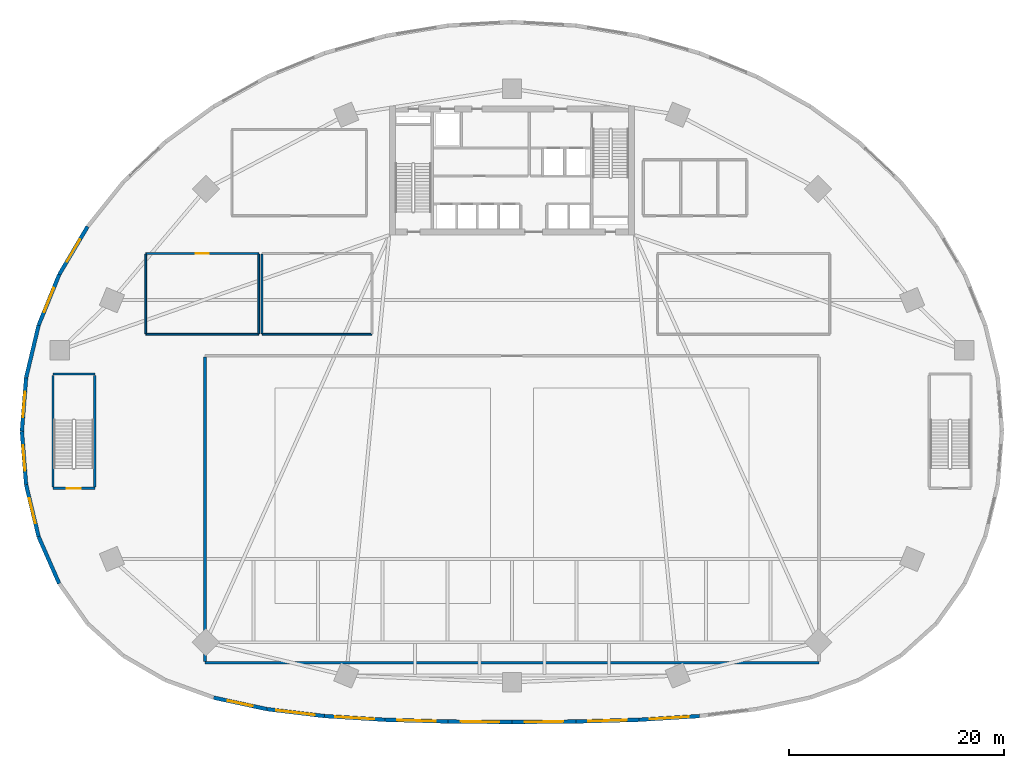
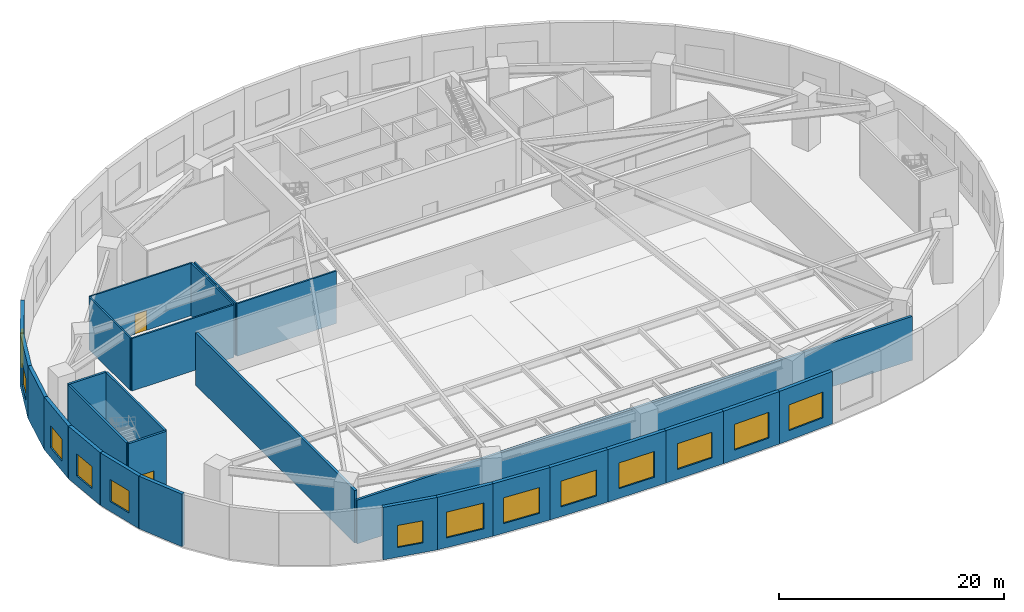
# One storey, part 2 of 10: 27 walls, 13 windows, 2 doors, 15 openings.
"""IFC4 building model written with IfcOpenShell, lengths in metres."""

from ifc_helpers import new_model, si_unit, direction, frame, frame_2d, origin, place, context, subcontext, project, spatial, rectangle, extrude, source, transform, mapped, material, layer, layer_set, type_object, type_shapes, element, fill, save


model = new_model("IFC4")

# Units and contexts
model_context = context("Model", 3, precision=1e-05, world=origin(), true_north=direction((0.0, 1.0)))
body_context = subcontext(model_context, "Body", "Model", "MODEL_VIEW")
ifc_project = project(units=[si_unit("LENGTHUNIT", "METRE"), si_unit("AREAUNIT", "SQUARE_METRE"), si_unit("VOLUMEUNIT", "CUBIC_METRE"), si_unit("PLANEANGLEUNIT", "RADIAN"), si_unit("MASSUNIT", "GRAM", prefix="KILO")], contexts=[model_context])

# Site, building, storey
site_placement = place(None, origin())
site = spatial("IfcSite", under=ifc_project, at=site_placement, CompositionType="ELEMENT")
building_placement = place(site_placement, origin())
building = spatial("IfcBuilding", under=site, at=building_placement, Name="Breltana Convention Tower", CompositionType="ELEMENT")
storey_placement = place(building_placement, frame((0.0, 0.0, 12.0)))
storey = spatial("IfcBuildingStorey", under=building, at=storey_placement, Name="L02", CompositionType="ELEMENT", Elevation=12.0)

# Wall, opening, window
ifc_material_1 = material(Name="Limestone Buff Insulated Wall", Category="masonry")
ifc_layer_1 = layer(ifc_material_1, 0.35009765625, Name="Limestone Buff Insulated Wall")
ifc_layer_set_1 = layer_set([ifc_layer_1], Name="Limestone Buff Insulated Wall")
wall_type_1 = type_object("IfcWallType", Name="WL-EXT-POD-350", PredefinedType="SOLIDWALL", material=ifc_layer_set_1)
shared_shape_1 = source(origin(), body_context, "Body", "SweptSolid", [
    extrude(rectangle(XDim=4.975341796875, YDim=0.35009765625, at=frame_2d((2.48779296875, 0.0))), origin(), (0.0, 0.0, 1.0), 5.699951171875),
])
type_shapes(wall_type_1, [shared_shape_1])
wall_1_placement = place(storey_placement, frame((2.889404296875, 46.9599609375, 0.0), z_axis=(0.0, 0.0, 1.0), x_axis=(-0.07826870534, -0.996932299489, 0.0)))
wall_1 = element("IfcWall", 1, at=wall_1_placement, inside=storey, type_object=wall_type_1, Name="L02 limestone facade wall 24", PredefinedType="SOLIDWALL", context=body_context, shape_type="MappedRepresentation", body=[
    mapped(shared_shape_1, transform((0.0, 0.0, 0.0), scale=1.0)),
])
opening_1_placement = place(wall_1_placement, frame((1.28759765625, 0.0, 1.050048828125)))
opening_1 = element("IfcOpeningElement", 2, at=opening_1_placement, cuts=wall_1, Name="Opening W-02", PredefinedType="OPENING", context=body_context, shape_type="SweptSolid", body=[
    extrude(rectangle(XDim=2.39990234375, YDim=2.39990234375, at=frame_2d((1.199951171875, 1.199951171875))), frame((0.0, 0.18505859375, 0.0), z_axis=(0.0, -1.0, 0.0), x_axis=(1.0, 0.0, 0.0)), (0.0, 0.0, 1.0), 0.3701171875),
])
ifc_material_2 = material(Name="Glass Low-E Insulated Window", Category="glass")
window_type_1 = type_object("IfcWindowType", Name="WN-POD-2400X2400", PartitioningType="DOUBLE_PANEL_VERTICAL", PredefinedType="WINDOW", material=ifc_material_2)
shared_shape_2 = source(origin(), body_context, "Body", "SweptSolid", [
    extrude(rectangle(XDim=2.39990234375, YDim=2.39990234375, at=frame_2d((1.199951171875, 1.199951171875))), frame((0.0, 0.030029296875, 0.0), z_axis=(0.0, -1.0, 0.0), x_axis=(1.0, 0.0, 0.0)), (0.0, 0.0, 1.0), 0.06005859375),
])
type_shapes(window_type_1, [shared_shape_2])
window_1_placement = place(opening_1_placement, origin())
window_1 = element("IfcWindow", 3, at=window_1_placement, inside=storey, type_object=window_type_1, Name="L02 tripartite window 24.1", OverallHeight=2.39990234375, OverallWidth=2.39990234375, PartitioningType="DOUBLE_PANEL_VERTICAL", PredefinedType="WINDOW", context=body_context, shape_type="MappedRepresentation", body=[
    mapped(shared_shape_2, transform((0.0, 0.0, 0.0), scale=1.0)),
])
fill(opening_1, window_1)

wall_2_placement = place(storey_placement, frame((2.5, 42.0, 0.0), z_axis=(0.0, 0.0, 1.0), x_axis=(0.07826870534, -0.996932299489, 0.0)))
wall_2 = element("IfcWall", 4, at=wall_2_placement, inside=storey, type_object=wall_type_1, Name="L02 limestone facade wall 25", PredefinedType="SOLIDWALL", context=body_context, shape_type="MappedRepresentation", body=[
    mapped(shared_shape_1, transform((0.0, 0.0, 0.0), scale=1.0)),
])
opening_2_placement = place(wall_2_placement, frame((1.28759765625, 0.0, 1.050048828125)))
opening_2 = element("IfcOpeningElement", 5, at=opening_2_placement, cuts=wall_2, Name="Opening W-02", PredefinedType="OPENING", context=body_context, shape_type="SweptSolid", body=[
    extrude(rectangle(XDim=2.39990234375, YDim=2.39990234375, at=frame_2d((1.199951171875, 1.199951171875))), frame((0.0, 0.18505859375, 0.0), z_axis=(0.0, -1.0, 0.0), x_axis=(1.0, 0.0, 0.0)), (0.0, 0.0, 1.0), 0.3701171875),
])
window_2_placement = place(opening_2_placement, origin())
window_2 = element("IfcWindow", 6, at=window_2_placement, inside=storey, type_object=window_type_1, Name="L02 tripartite window 25.1", OverallHeight=2.39990234375, OverallWidth=2.39990234375, PartitioningType="DOUBLE_PANEL_VERTICAL", PredefinedType="WINDOW", context=body_context, shape_type="MappedRepresentation", body=[
    mapped(shared_shape_2, transform((0.0, 0.0, 0.0), scale=1.0)),
])
fill(opening_2, window_2)

# Wall
shared_shape_3 = source(origin(), body_context, "Body", "SweptSolid", [
    extrude(rectangle(XDim=5.011474609375, YDim=0.35009765625, at=frame_2d((2.505859375, 0.0))), origin(), (0.0, 0.0, 1.0), 5.699951171875),
])
wall_3_placement = place(storey_placement, frame((4.05029296875, 51.835205078125, 0.0), z_axis=(0.0, 0.0, 1.0), x_axis=(-0.23164248061, -0.972800987446, 0.0)))
element("IfcWall", 7, at=wall_3_placement, inside=storey, type_object=wall_type_1, Name="L02 limestone facade wall 23", PredefinedType="SOLIDWALL", context=body_context, shape_type="MappedRepresentation", body=[
    mapped(shared_shape_3, transform((0.0, 0.0, 0.0), scale=1.0)),
])

# Wall, opening, window
shared_shape_4 = source(origin(), body_context, "Body", "SweptSolid", [
    extrude(rectangle(XDim=5.080810546875, YDim=0.35009765625, at=frame_2d((2.54052734375, 0.0))), origin(), (0.0, 0.0, 1.0), 5.699951171875),
])
wall_4_placement = place(storey_placement, frame((5.96337890625, 56.5419921875, 0.0), z_axis=(0.0, 0.0, 1.0), x_axis=(-0.376538155573, -0.926401110425, 0.0)))
wall_4 = element("IfcWall", 8, at=wall_4_placement, inside=storey, type_object=wall_type_1, Name="L02 limestone facade wall 22", PredefinedType="SOLIDWALL", context=body_context, shape_type="MappedRepresentation", body=[
    mapped(shared_shape_4, transform((0.0, 0.0, 0.0), scale=1.0)),
])
opening_3_placement = place(wall_4_placement, frame((1.34033203125, 0.0, 1.050048828125)))
opening_3 = element("IfcOpeningElement", 9, at=opening_3_placement, cuts=wall_4, Name="Opening W-02", PredefinedType="OPENING", context=body_context, shape_type="SweptSolid", body=[
    extrude(rectangle(XDim=2.39990234375, YDim=2.39990234375, at=frame_2d((1.199951171875, 1.199951171875))), frame((0.0, 0.18505859375, 0.0), z_axis=(0.0, -1.0, 0.0), x_axis=(1.0, 0.0, 0.0)), (0.0, 0.0, 1.0), 0.3701171875),
])
window_3_placement = place(opening_3_placement, origin())
window_3 = element("IfcWindow", 10, at=window_3_placement, inside=storey, type_object=window_type_1, Name="L02 tripartite window 22.1", OverallHeight=2.39990234375, OverallWidth=2.39990234375, PartitioningType="DOUBLE_PANEL_VERTICAL", PredefinedType="WINDOW", context=body_context, shape_type="MappedRepresentation", body=[
    mapped(shared_shape_2, transform((0.0, 0.0, 0.0), scale=1.0)),
])
fill(opening_3, window_3)

shared_shape_5 = source(origin(), body_context, "Body", "SweptSolid", [
    extrude(rectangle(XDim=5.17724609375, YDim=0.35009765625, at=frame_2d((2.588623046875, 0.0))), origin(), (0.0, 0.0, 1.0), 5.699951171875),
])
wall_5_placement = place(storey_placement, frame((8.595703125, 61.0, 0.0), z_axis=(0.0, 0.0, 1.0), x_axis=(-0.508449663637, -0.861091713784, 0.0)))
wall_5 = element("IfcWall", 11, at=wall_5_placement, inside=storey, type_object=wall_type_1, Name="L02 limestone facade wall 21", PredefinedType="SOLIDWALL", context=body_context, shape_type="MappedRepresentation", body=[
    mapped(shared_shape_5, transform((0.0, 0.0, 0.0), scale=1.0)),
])
opening_4_placement = place(wall_5_placement, frame((1.388671875, 0.0, 1.050048828125)))
opening_4 = element("IfcOpeningElement", 12, at=opening_4_placement, cuts=wall_5, Name="Opening W-02", PredefinedType="OPENING", context=body_context, shape_type="SweptSolid", body=[
    extrude(rectangle(XDim=2.39990234375, YDim=2.39990234375, at=frame_2d((1.199951171875, 1.199951171875))), frame((0.0, 0.18505859375, 0.0), z_axis=(0.0, -1.0, 0.0), x_axis=(1.0, 0.0, 0.0)), (0.0, 0.0, 1.0), 0.3701171875),
])
window_4_placement = place(opening_4_placement, origin())
window_4 = element("IfcWindow", 13, at=window_4_placement, inside=storey, type_object=window_type_1, Name="L02 tripartite window 21.1", OverallHeight=2.39990234375, OverallWidth=2.39990234375, PartitioningType="DOUBLE_PANEL_VERTICAL", PredefinedType="WINDOW", context=body_context, shape_type="MappedRepresentation", body=[
    mapped(shared_shape_2, transform((0.0, 0.0, 0.0), scale=1.0)),
])
fill(opening_4, window_4)

shared_shape_6 = source(origin(), body_context, "Body", "SweptSolid", [
    extrude(rectangle(XDim=4.968994140625, YDim=0.35009765625, at=frame_2d((2.484375, 0.0))), origin(), (0.0, 0.0, 1.0), 5.699951171875),
])
wall_6_placement = place(storey_placement, frame((2.889404296875, 37.0400390625, 0.0), z_axis=(0.0, 0.0, 1.0), x_axis=(0.233623809029, -0.972327062184, 0.0)))
wall_6 = element("IfcWall", 14, at=wall_6_placement, inside=storey, type_object=wall_type_1, Name="L02 limestone facade wall 26", PredefinedType="SOLIDWALL", context=body_context, shape_type="MappedRepresentation", body=[
    mapped(shared_shape_6, transform((0.0, 0.0, 0.0), scale=1.0)),
])
opening_5_placement = place(wall_6_placement, frame((1.284423828125, 0.0, 1.050048828125)))
opening_5 = element("IfcOpeningElement", 15, at=opening_5_placement, cuts=wall_6, Name="Opening W-02", PredefinedType="OPENING", context=body_context, shape_type="SweptSolid", body=[
    extrude(rectangle(XDim=2.39990234375, YDim=2.39990234375, at=frame_2d((1.199951171875, 1.199951171875))), frame((0.0, 0.18505859375, 0.0), z_axis=(0.0, -1.0, 0.0), x_axis=(1.0, 0.0, 0.0)), (0.0, 0.0, 1.0), 0.3701171875),
])
window_5_placement = place(opening_5_placement, origin())
window_5 = element("IfcWindow", 16, at=window_5_placement, inside=storey, type_object=window_type_1, Name="L02 tripartite window 26.1", OverallHeight=2.39990234375, OverallWidth=2.39990234375, PartitioningType="DOUBLE_PANEL_VERTICAL", PredefinedType="WINDOW", context=body_context, shape_type="MappedRepresentation", body=[
    mapped(shared_shape_2, transform((0.0, 0.0, 0.0), scale=1.0)),
])
fill(opening_5, window_5)

# Wall
shared_shape_7 = source(origin(), body_context, "Body", "SweptSolid", [
    extrude(rectangle(XDim=4.756103515625, YDim=0.35009765625, at=frame_2d((2.3779296875, 0.0))), origin(), (0.0, 0.0, 1.0), 5.699951171875),
])
wall_7_placement = place(storey_placement, frame((4.05029296875, 32.20849609375, 0.0), z_axis=(0.0, 0.0, 1.0), x_axis=(0.402248274654, -0.915530625123, 0.0)))
element("IfcWall", 17, at=wall_7_placement, inside=storey, type_object=wall_type_1, Name="L02 limestone facade wall 27", PredefinedType="SOLIDWALL", context=body_context, shape_type="MappedRepresentation", body=[
    mapped(shared_shape_7, transform((0.0, 0.0, 0.0), scale=1.0)),
])

# Wall, opening, window
shared_shape_8 = source(origin(), body_context, "Body", "SweptSolid", [
    extrude(rectangle(XDim=5.062255859375, YDim=0.35009765625, at=frame_2d((2.53125, 0.0))), origin(), (0.0, 0.0, 1.0), 5.699951171875),
])
wall_8_placement = place(storey_placement, frame((20.301513671875, 17.2626953125, 0.0), z_axis=(0.0, 0.0, 1.0), x_axis=(0.977548321811, -0.210711363066, 0.0)))
wall_8 = element("IfcWall", 18, at=wall_8_placement, inside=storey, type_object=wall_type_1, Name="L02 limestone facade wall 32", PredefinedType="SOLIDWALL", context=body_context, shape_type="MappedRepresentation", body=[
    mapped(shared_shape_8, transform((0.0, 0.0, 0.0), scale=1.0)),
])
opening_6_placement = place(wall_8_placement, frame((1.3310546875, 0.0, 1.050048828125)))
opening_6 = element("IfcOpeningElement", 19, at=opening_6_placement, cuts=wall_8, Name="Opening W-02", PredefinedType="OPENING", context=body_context, shape_type="SweptSolid", body=[
    extrude(rectangle(XDim=2.39990234375, YDim=2.39990234375, at=frame_2d((1.199951171875, 1.199951171875))), frame((0.0, 0.18505859375, 0.0), z_axis=(0.0, -1.0, 0.0), x_axis=(1.0, 0.0, 0.0)), (0.0, 0.0, 1.0), 0.3701171875),
])
window_6_placement = place(opening_6_placement, origin())
window_6 = element("IfcWindow", 20, at=window_6_placement, inside=storey, type_object=window_type_1, Name="L02 tripartite window 32.1", OverallHeight=2.39990234375, OverallWidth=2.39990234375, PartitioningType="DOUBLE_PANEL_VERTICAL", PredefinedType="WINDOW", context=body_context, shape_type="MappedRepresentation", body=[
    mapped(shared_shape_2, transform((0.0, 0.0, 0.0), scale=1.0)),
])
fill(opening_6, window_6)

shared_shape_9 = source(origin(), body_context, "Body", "SweptSolid", [
    extrude(rectangle(XDim=5.37646484375, YDim=0.35009765625, at=frame_2d((2.688232421875, 0.0))), origin(), (0.0, 0.0, 1.0), 5.699951171875),
])
wall_9_placement = place(storey_placement, frame((25.25, 16.196044921875, 0.0), z_axis=(0.0, 0.0, 1.0), x_axis=(0.992815901624, -0.119651934723, 0.0)))
wall_9 = element("IfcWall", 21, at=wall_9_placement, inside=storey, type_object=wall_type_1, Name="L02 limestone facade wall 33", PredefinedType="SOLIDWALL", context=body_context, shape_type="MappedRepresentation", body=[
    mapped(shared_shape_9, transform((0.0, 0.0, 0.0), scale=1.0)),
])
opening_7_placement = place(wall_9_placement, frame((0.88818359375, 0.0, 1.050048828125)))
opening_7 = element("IfcOpeningElement", 22, at=opening_7_placement, cuts=wall_9, Name="Opening W-01", PredefinedType="OPENING", context=body_context, shape_type="SweptSolid", body=[
    extrude(rectangle(XDim=3.60009765625, YDim=2.800048828125, at=frame_2d((1.800048828125, 1.39990234375))), frame((0.0, 0.18505859375, 0.0), z_axis=(0.0, -1.0, 0.0), x_axis=(1.0, 0.0, 0.0)), (0.0, 0.0, 1.0), 0.3701171875),
])
window_type_2 = type_object("IfcWindowType", Name="WN-POD-3600X2800", PartitioningType="TRIPLE_PANEL_VERTICAL", PredefinedType="WINDOW", material=ifc_material_2)
shared_shape_10 = source(origin(), body_context, "Body", "SweptSolid", [
    extrude(rectangle(XDim=3.60009765625, YDim=2.800048828125, at=frame_2d((1.800048828125, 1.39990234375))), frame((0.0, 0.030029296875, 0.0), z_axis=(0.0, -1.0, 0.0), x_axis=(1.0, 0.0, 0.0)), (0.0, 0.0, 1.0), 0.06005859375),
])
type_shapes(window_type_2, [shared_shape_10])
window_7_placement = place(opening_7_placement, origin())
window_7 = element("IfcWindow", 23, at=window_7_placement, inside=storey, type_object=window_type_2, Name="L02 tripartite window 33.1", OverallHeight=2.800048828125, OverallWidth=3.60009765625, PartitioningType="TRIPLE_PANEL_VERTICAL", PredefinedType="WINDOW", context=body_context, shape_type="MappedRepresentation", body=[
    mapped(shared_shape_10, transform((0.0, 0.0, 0.0), scale=1.0)),
])
fill(opening_7, window_7)

shared_shape_11 = source(origin(), body_context, "Body", "SweptSolid", [
    extrude(rectangle(XDim=5.646484375, YDim=0.35009765625, at=frame_2d((2.8232421875, 0.0))), origin(), (0.0, 0.0, 1.0), 5.699951171875),
])
wall_10_placement = place(storey_placement, frame((30.587890625, 15.552734375, 0.0), z_axis=(0.0, 0.0, 1.0), x_axis=(0.998102723982, -0.061570710403, 0.0)))
wall_10 = element("IfcWall", 24, at=wall_10_placement, inside=storey, type_object=wall_type_1, Name="L02 limestone facade wall 34", PredefinedType="SOLIDWALL", context=body_context, shape_type="MappedRepresentation", body=[
    mapped(shared_shape_11, transform((0.0, 0.0, 0.0), scale=1.0)),
])
opening_8_placement = place(wall_10_placement, frame((1.023193359375, 0.0, 1.050048828125)))
opening_8 = element("IfcOpeningElement", 25, at=opening_8_placement, cuts=wall_10, Name="Opening W-01", PredefinedType="OPENING", context=body_context, shape_type="SweptSolid", body=[
    extrude(rectangle(XDim=3.60009765625, YDim=2.800048828125, at=frame_2d((1.800048828125, 1.39990234375))), frame((0.0, 0.18505859375, 0.0), z_axis=(0.0, -1.0, 0.0), x_axis=(1.0, 0.0, 0.0)), (0.0, 0.0, 1.0), 0.3701171875),
])
window_8_placement = place(opening_8_placement, origin())
window_8 = element("IfcWindow", 26, at=window_8_placement, inside=storey, type_object=window_type_2, Name="L02 tripartite window 34.1", OverallHeight=2.800048828125, OverallWidth=3.60009765625, PartitioningType="TRIPLE_PANEL_VERTICAL", PredefinedType="WINDOW", context=body_context, shape_type="MappedRepresentation", body=[
    mapped(shared_shape_10, transform((0.0, 0.0, 0.0), scale=1.0)),
])
fill(opening_8, window_8)

wall_11_placement = place(storey_placement, frame((59.7763671875, 15.205078125, 0.0), z_axis=(0.0, 0.0, 1.0), x_axis=(0.998102723982, 0.061570710403, 0.0)))
wall_11 = element("IfcWall", 27, at=wall_11_placement, inside=storey, type_object=wall_type_1, Name="L02 limestone facade wall 39", PredefinedType="SOLIDWALL", context=body_context, shape_type="MappedRepresentation", body=[
    mapped(shared_shape_11, transform((0.0, 0.0, 0.0), scale=1.0)),
])
opening_9_placement = place(wall_11_placement, frame((1.023193359375, 0.0, 1.050048828125)))
opening_9 = element("IfcOpeningElement", 28, at=opening_9_placement, cuts=wall_11, Name="Opening W-01", PredefinedType="OPENING", context=body_context, shape_type="SweptSolid", body=[
    extrude(rectangle(XDim=3.60009765625, YDim=2.800048828125, at=frame_2d((1.800048828125, 1.39990234375))), frame((0.0, 0.18505859375, 0.0), z_axis=(0.0, -1.0, 0.0), x_axis=(1.0, 0.0, 0.0)), (0.0, 0.0, 1.0), 0.3701171875),
])
window_9_placement = place(opening_9_placement, origin())
window_9 = element("IfcWindow", 29, at=window_9_placement, inside=storey, type_object=window_type_2, Name="L02 tripartite window 39.1", OverallHeight=2.800048828125, OverallWidth=3.60009765625, PartitioningType="TRIPLE_PANEL_VERTICAL", PredefinedType="WINDOW", context=body_context, shape_type="MappedRepresentation", body=[
    mapped(shared_shape_10, transform((0.0, 0.0, 0.0), scale=1.0)),
])
fill(opening_9, window_9)

shared_shape_12 = source(origin(), body_context, "Body", "SweptSolid", [
    extrude(rectangle(XDim=5.839599609375, YDim=0.35009765625, at=frame_2d((2.919921875, 0.0))), origin(), (0.0, 0.0, 1.0), 5.699951171875),
])
wall_12_placement = place(storey_placement, frame((36.2236328125, 15.205078125, 0.0), z_axis=(0.0, 0.0, 1.0), x_axis=(0.999623839291, -0.027425898728, 0.0)))
wall_12 = element("IfcWall", 30, at=wall_12_placement, inside=storey, type_object=wall_type_1, Name="L02 limestone facade wall 35", PredefinedType="SOLIDWALL", context=body_context, shape_type="MappedRepresentation", body=[
    mapped(shared_shape_12, transform((0.0, 0.0, 0.0), scale=1.0)),
])
opening_10_placement = place(wall_12_placement, frame((1.119873046875, 0.0, 1.050048828125)))
opening_10 = element("IfcOpeningElement", 31, at=opening_10_placement, cuts=wall_12, Name="Opening W-01", PredefinedType="OPENING", context=body_context, shape_type="SweptSolid", body=[
    extrude(rectangle(XDim=3.60009765625, YDim=2.800048828125, at=frame_2d((1.800048828125, 1.39990234375))), frame((0.0, 0.18505859375, 0.0), z_axis=(0.0, -1.0, 0.0), x_axis=(1.0, 0.0, 0.0)), (0.0, 0.0, 1.0), 0.3701171875),
])
window_10_placement = place(opening_10_placement, origin())
window_10 = element("IfcWindow", 32, at=window_10_placement, inside=storey, type_object=window_type_2, Name="L02 tripartite window 35.1", OverallHeight=2.800048828125, OverallWidth=3.60009765625, PartitioningType="TRIPLE_PANEL_VERTICAL", PredefinedType="WINDOW", context=body_context, shape_type="MappedRepresentation", body=[
    mapped(shared_shape_10, transform((0.0, 0.0, 0.0), scale=1.0)),
])
fill(opening_10, window_10)

wall_13_placement = place(storey_placement, frame((53.93896484375, 15.044921875, 0.0), z_axis=(0.0, 0.0, 1.0), x_axis=(0.999623839291, 0.027425898728, 0.0)))
wall_13 = element("IfcWall", 33, at=wall_13_placement, inside=storey, type_object=wall_type_1, Name="L02 limestone facade wall 38", PredefinedType="SOLIDWALL", context=body_context, shape_type="MappedRepresentation", body=[
    mapped(shared_shape_12, transform((0.0, 0.0, 0.0), scale=1.0)),
])
opening_11_placement = place(wall_13_placement, frame((1.119873046875, 0.0, 1.050048828125)))
opening_11 = element("IfcOpeningElement", 34, at=opening_11_placement, cuts=wall_13, Name="Opening W-01", PredefinedType="OPENING", context=body_context, shape_type="SweptSolid", body=[
    extrude(rectangle(XDim=3.60009765625, YDim=2.800048828125, at=frame_2d((1.800048828125, 1.39990234375))), frame((0.0, 0.18505859375, 0.0), z_axis=(0.0, -1.0, 0.0), x_axis=(1.0, 0.0, 0.0)), (0.0, 0.0, 1.0), 0.3701171875),
])
window_11_placement = place(opening_11_placement, origin())
window_11 = element("IfcWindow", 35, at=window_11_placement, inside=storey, type_object=window_type_2, Name="L02 tripartite window 38.1", OverallHeight=2.800048828125, OverallWidth=3.60009765625, PartitioningType="TRIPLE_PANEL_VERTICAL", PredefinedType="WINDOW", context=body_context, shape_type="MappedRepresentation", body=[
    mapped(shared_shape_10, transform((0.0, 0.0, 0.0), scale=1.0)),
])
fill(opening_11, window_11)

shared_shape_13 = source(origin(), body_context, "Body", "SweptSolid", [
    extrude(rectangle(XDim=5.939208984375, YDim=0.35009765625, at=frame_2d((2.9697265625, 0.0))), origin(), (0.0, 0.0, 1.0), 5.699951171875),
])
wall_14_placement = place(storey_placement, frame((42.06103515625, 15.044921875, 0.0), z_axis=(0.0, 0.0, 1.0), x_axis=(0.999971394759, -0.007563707006, 0.0)))
wall_14 = element("IfcWall", 36, at=wall_14_placement, inside=storey, type_object=wall_type_1, Name="L02 limestone facade wall 36", PredefinedType="SOLIDWALL", context=body_context, shape_type="MappedRepresentation", body=[
    mapped(shared_shape_13, transform((0.0, 0.0, 0.0), scale=1.0)),
])
opening_12_placement = place(wall_14_placement, frame((1.16943359375, 0.0, 1.050048828125)))
opening_12 = element("IfcOpeningElement", 37, at=opening_12_placement, cuts=wall_14, Name="Opening W-01", PredefinedType="OPENING", context=body_context, shape_type="SweptSolid", body=[
    extrude(rectangle(XDim=3.60009765625, YDim=2.800048828125, at=frame_2d((1.800048828125, 1.39990234375))), frame((0.0, 0.18505859375, 0.0), z_axis=(0.0, -1.0, 0.0), x_axis=(1.0, 0.0, 0.0)), (0.0, 0.0, 1.0), 0.3701171875),
])
window_12_placement = place(opening_12_placement, origin())
window_12 = element("IfcWindow", 38, at=window_12_placement, inside=storey, type_object=window_type_2, Name="L02 tripartite window 36.1", OverallHeight=2.800048828125, OverallWidth=3.60009765625, PartitioningType="TRIPLE_PANEL_VERTICAL", PredefinedType="WINDOW", context=body_context, shape_type="MappedRepresentation", body=[
    mapped(shared_shape_10, transform((0.0, 0.0, 0.0), scale=1.0)),
])
fill(opening_12, window_12)

wall_15_placement = place(storey_placement, frame((48.0, 15.0, 0.0), z_axis=(0.0, 0.0, 1.0), x_axis=(0.999971394759, 0.007563707006, 0.0)))
wall_15 = element("IfcWall", 39, at=wall_15_placement, inside=storey, type_object=wall_type_1, Name="L02 limestone facade wall 37", PredefinedType="SOLIDWALL", context=body_context, shape_type="MappedRepresentation", body=[
    mapped(shared_shape_13, transform((0.0, 0.0, 0.0), scale=1.0)),
])
opening_13_placement = place(wall_15_placement, frame((1.16943359375, 0.0, 1.050048828125)))
opening_13 = element("IfcOpeningElement", 40, at=opening_13_placement, cuts=wall_15, Name="Opening W-01", PredefinedType="OPENING", context=body_context, shape_type="SweptSolid", body=[
    extrude(rectangle(XDim=3.60009765625, YDim=2.800048828125, at=frame_2d((1.800048828125, 1.39990234375))), frame((0.0, 0.18505859375, 0.0), z_axis=(0.0, -1.0, 0.0), x_axis=(1.0, 0.0, 0.0)), (0.0, 0.0, 1.0), 0.3701171875),
])
window_13_placement = place(opening_13_placement, origin())
window_13 = element("IfcWindow", 41, at=window_13_placement, inside=storey, type_object=window_type_2, Name="L02 tripartite window 37.1", OverallHeight=2.800048828125, OverallWidth=3.60009765625, PartitioningType="TRIPLE_PANEL_VERTICAL", PredefinedType="WINDOW", context=body_context, shape_type="MappedRepresentation", body=[
    mapped(shared_shape_10, transform((0.0, 0.0, 0.0), scale=1.0)),
])
fill(opening_13, window_13)

# Wall, opening, door
ifc_material_3 = material(Name="Concrete C40/50", Category="concrete")
ifc_layer_2 = layer(ifc_material_3, 0.219970703125, Name="Concrete C40/50")
ifc_layer_set_2 = layer_set([ifc_layer_2], Name="Concrete C40/50")
wall_type_2 = type_object("IfcWallType", Name="WL-SHAFT-220", PredefinedType="SOLIDWALL", material=ifc_layer_set_2)
shared_shape_14 = source(origin(), body_context, "Body", "SweptSolid", [
    extrude(rectangle(XDim=3.89013671875, YDim=0.219970703125, at=frame_2d((1.945068359375, 0.0))), origin(), (0.0, 0.0, 1.0), 6.0),
])
wall_16_placement = place(storey_placement, frame((5.389892578125, 36.68994140625, 0.0), z_axis=(0.0, 0.0, 1.0), x_axis=(1.0, 0.0, 0.0)))
wall_16 = element("IfcWall", 42, at=wall_16_placement, inside=storey, type_object=wall_type_2, Name="L02 interior partition W-L02-ST3-S", PredefinedType="SOLIDWALL", context=body_context, shape_type="MappedRepresentation", body=[
    mapped(shared_shape_14, transform((0.0, 0.0, 0.0), scale=1.0)),
])
opening_14_placement = place(wall_16_placement, frame((1.294921875, 0.0, 0.0)))
opening_14 = element("IfcOpeningElement", 43, at=opening_14_placement, cuts=wall_16, Name="Opening D-08", PredefinedType="OPENING", context=body_context, shape_type="SweptSolid", body=[
    extrude(rectangle(XDim=1.300048828125, YDim=2.14990234375, at=frame_2d((0.64990234375, 1.074951171875))), frame((0.0, 0.1201171875, 0.0), z_axis=(0.0, -1.0, 0.0), x_axis=(1.0, 0.0, 0.0)), (0.0, 0.0, 1.0), 0.239990234375),
])
ifc_material_4 = material(Name="Steel Fire Exit Door", Category="steel")
door_type_1 = type_object("IfcDoorType", Name="DR-FD120-1300", OperationType="NOTDEFINED", PredefinedType="DOOR", material=ifc_material_4)
shared_shape_15 = source(origin(), body_context, "Body", "SweptSolid", [
    extrude(rectangle(XDim=1.300048828125, YDim=2.14990234375, at=frame_2d((0.64990234375, 1.074951171875))), frame((0.0, 0.02490234375, 0.0), z_axis=(0.0, -1.0, 0.0), x_axis=(1.0, 0.0, 0.0)), (0.0, 0.0, 1.0), 0.050048828125),
])
type_shapes(door_type_1, [shared_shape_15])
door_1_placement = place(opening_14_placement, origin())
door_1 = element("IfcDoor", 44, at=door_1_placement, inside=storey, type_object=door_type_1, Name="L02 interior door D-L02-ST3", OperationType="SINGLE_SWING_LEFT", OverallHeight=2.14990234375, OverallWidth=1.300048828125, PredefinedType="DOOR", context=body_context, shape_type="MappedRepresentation", body=[
    mapped(shared_shape_15, transform((0.0, 0.0, 0.0), scale=1.0)),
])
fill(opening_14, door_1)

# Walls
wall_17_placement = place(storey_placement, frame((5.389892578125, 47.31005859375, 0.0), z_axis=(0.0, 0.0, 1.0), x_axis=(1.0, 0.0, 0.0)))
element("IfcWall", 45, at=wall_17_placement, inside=storey, type_object=wall_type_2, Name="L02 interior partition W-L02-ST3-N", PredefinedType="SOLIDWALL", context=body_context, shape_type="MappedRepresentation", body=[
    mapped(shared_shape_14, transform((0.0, 0.0, 0.0), scale=1.0)),
])
shared_shape_16 = source(origin(), body_context, "Body", "SweptSolid", [
    extrude(rectangle(XDim=10.3798828125, YDim=0.219970703125, at=frame_2d((5.18994140625, 0.0))), origin(), (0.0, 0.0, 1.0), 6.0),
])
for number, where, z_axis, x_axis, name in (
    (46, (5.389892578125, 36.81005859375, 0.0), (0.0, 0.0, 1.0), (0.0, 1.0, 0.0), "L02 interior partition W-L02-ST3-W"),
    (47, (9.280029296875, 36.81005859375, 0.0), (0.0, 0.0, 1.0), (0.0, 1.0, 0.0), "L02 interior partition W-L02-ST3-E"),
):
    element("IfcWall", number, at=place(storey_placement, frame(where, z_axis=z_axis, x_axis=x_axis)), inside=storey, type_object=wall_type_2, Name=name, PredefinedType="SOLIDWALL", context=body_context, shape_type="MappedRepresentation", body=[
        mapped(shared_shape_16, transform((0.0, 0.0, 0.0), scale=1.0)),
    ])
ifc_material_5 = material(Name="Gypsum Acoustic Double Stud Wall")
ifc_layer_3 = layer(ifc_material_5, 0.25, Name="Gypsum Acoustic Double Stud Wall")
ifc_layer_set_3 = layer_set([ifc_layer_3], Name="Gypsum Acoustic Double Stud Wall")
wall_type_3 = type_object("IfcWallType", Name="WL-ACOUSTIC-250", PredefinedType="PARTITIONING", material=ifc_layer_set_3)
shared_shape_17 = source(origin(), body_context, "Body", "SweptSolid", [
    extrude(rectangle(XDim=57.0, YDim=0.25, at=frame_2d((28.5, 0.0))), origin(), (0.0, 0.0, 1.0), 4.760986328125),
])
wall_18_placement = place(storey_placement, frame((19.5, 20.5, 0.0), z_axis=(0.0, 0.0, 1.0), x_axis=(1.0, 0.0, 0.0)))
element("IfcWall", 48, at=wall_18_placement, inside=storey, type_object=wall_type_3, Name="L02 interior partition W-L02-EXH-S", PredefinedType="PARTITIONING", context=body_context, shape_type="MappedRepresentation", body=[
    mapped(shared_shape_17, transform((0.0, 0.0, 0.0), scale=1.0)),
])
shared_shape_18 = source(origin(), body_context, "Body", "SweptSolid", [
    extrude(rectangle(XDim=28.27490234375, YDim=0.25, at=frame_2d((14.137451171875, 0.0))), origin(), (0.0, 0.0, 1.0), 5.699951171875),
])
wall_19_placement = place(storey_placement, frame((19.5, 20.612548828125, 0.0), z_axis=(0.0, 0.0, 1.0), x_axis=(0.0, 1.0, 0.0)))
element("IfcWall", 49, at=wall_19_placement, inside=storey, type_object=wall_type_3, Name="L02 interior partition W-L02-EXH-W", PredefinedType="PARTITIONING", context=body_context, shape_type="MappedRepresentation", body=[
    mapped(shared_shape_18, transform((0.0, 0.0, 0.0), scale=1.0)),
])
ifc_material_6 = material(Name="Aluminium Anodised Acoustic Operable Panel", Category="aluminium")
ifc_layer_4 = layer(ifc_material_6, 0.159912109375, Name="Aluminium Anodised Acoustic Operable Panel")
ifc_layer_set_4 = layer_set([ifc_layer_4], Name="Aluminium Anodised Acoustic Operable Panel")
wall_type_4 = type_object("IfcWallType", Name="WL-MOVABLE-160", PredefinedType="MOVABLE", material=ifc_layer_set_4)
shared_shape_19 = source(origin(), body_context, "Body", "SweptSolid", [
    extrude(rectangle(XDim=10.5, YDim=0.159912109375, at=frame_2d((5.25, 0.0))), origin(), (0.0, 0.0, 1.0), 5.699951171875),
])
wall_20_placement = place(storey_placement, frame((14.0, 51.0, 0.0), z_axis=(0.0, 0.0, 1.0), x_axis=(1.0, 0.0, 0.0)))
element("IfcWall", 50, at=wall_20_placement, inside=storey, type_object=wall_type_4, Name="L02 interior partition W-L02-SEM1-S", PredefinedType="MOVABLE", context=body_context, shape_type="MappedRepresentation", body=[
    mapped(shared_shape_19, transform((0.0, 0.0, 0.0), scale=1.0)),
])

# Wall, opening, door
ifc_material_7 = material(Name="Gypsum Acoustic Drywall Partition")
ifc_layer_5 = layer(ifc_material_7, 0.14990234375, Name="Gypsum Acoustic Drywall Partition")
ifc_layer_set_5 = layer_set([ifc_layer_5], Name="Gypsum Acoustic Drywall Partition")
wall_type_5 = type_object("IfcWallType", Name="WL-PART-150", PredefinedType="PARTITIONING", material=ifc_layer_set_5)
shared_shape_20 = source(origin(), body_context, "Body", "SweptSolid", [
    extrude(rectangle(XDim=10.5, YDim=0.14990234375, at=frame_2d((5.25, 0.0))), origin(), (0.0, 0.0, 1.0), 5.699951171875),
])
wall_21_placement = place(storey_placement, frame((14.0, 58.5, 0.0), z_axis=(0.0, 0.0, 1.0), x_axis=(1.0, 0.0, 0.0)))
wall_21 = element("IfcWall", 51, at=wall_21_placement, inside=storey, type_object=wall_type_5, Name="L02 interior partition W-L02-SEM1-N", PredefinedType="PARTITIONING", context=body_context, shape_type="MappedRepresentation", body=[
    mapped(shared_shape_20, transform((0.0, 0.0, 0.0), scale=1.0)),
])
opening_15_placement = place(wall_21_placement, frame((4.64990234375, 0.0, 0.0)))
opening_15 = element("IfcOpeningElement", 52, at=opening_15_placement, cuts=wall_21, Name="Opening D-10", PredefinedType="OPENING", context=body_context, shape_type="SweptSolid", body=[
    extrude(rectangle(XDim=1.199951171875, YDim=2.14990234375, at=frame_2d((0.60009765625, 1.074951171875))), frame((0.0, 0.0849609375, 0.0), z_axis=(0.0, -1.0, 0.0), x_axis=(1.0, 0.0, 0.0)), (0.0, 0.0, 1.0), 0.169921875),
])
ifc_material_8 = material(Name="Timber Oak Veneer Fire Door", Category="wood")
door_type_2 = type_object("IfcDoorType", Name="DR-INT-1200", OperationType="NOTDEFINED", PredefinedType="DOOR", material=ifc_material_8)
shared_shape_21 = source(origin(), body_context, "Body", "SweptSolid", [
    extrude(rectangle(XDim=1.199951171875, YDim=2.14990234375, at=frame_2d((0.60009765625, 1.074951171875))), frame((0.0, 0.02490234375, 0.0), z_axis=(0.0, -1.0, 0.0), x_axis=(1.0, 0.0, 0.0)), (0.0, 0.0, 1.0), 0.050048828125),
])
type_shapes(door_type_2, [shared_shape_21])
door_2_placement = place(opening_15_placement, origin())
door_2 = element("IfcDoor", 53, at=door_2_placement, inside=storey, type_object=door_type_2, Name="L02 interior door D-L02-SEM1", OperationType="SINGLE_SWING_RIGHT", OverallHeight=2.14990234375, OverallWidth=1.199951171875, PredefinedType="DOOR", context=body_context, shape_type="MappedRepresentation", body=[
    mapped(shared_shape_21, transform((0.0, 0.0, 0.0), scale=1.0)),
])
fill(opening_15, door_2)

# Walls
shared_shape_22 = source(origin(), body_context, "Body", "SweptSolid", [
    extrude(rectangle(XDim=7.365234375, YDim=0.159912109375, at=frame_2d((3.6826171875, 0.0))), origin(), (0.0, 0.0, 1.0), 5.699951171875),
])
for number, where, z_axis, x_axis, name in (
    (54, (14.0, 51.0673828125, 0.0), (0.0, 0.0, 1.0), (0.0, 1.0, 0.0), "L02 interior partition W-L02-SEM1-W"),
    (55, (24.5, 51.0673828125, 0.0), (0.0, 0.0, 1.0), (0.0, 1.0, 0.0), "L02 interior partition W-L02-SEM1-E"),
    (56, (24.800048828125, 51.0673828125, 0.0), (0.0, 0.0, 1.0), (0.0, 1.0, 0.0), "L02 interior partition W-L02-SEM2-W"),
):
    element("IfcWall", number, at=place(storey_placement, frame(where, z_axis=z_axis, x_axis=x_axis)), inside=storey, type_object=wall_type_4, Name=name, PredefinedType="MOVABLE", context=body_context, shape_type="MappedRepresentation", body=[
        mapped(shared_shape_22, transform((0.0, 0.0, 0.0), scale=1.0)),
    ])
shared_shape_23 = source(origin(), body_context, "Body", "SweptSolid", [
    extrude(rectangle(XDim=10.199951171875, YDim=0.159912109375, at=frame_2d((5.10009765625, 0.0))), origin(), (0.0, 0.0, 1.0), 5.699951171875),
])
wall_22_placement = place(storey_placement, frame((24.800048828125, 51.0, 0.0), z_axis=(0.0, 0.0, 1.0), x_axis=(1.0, 0.0, 0.0)))
element("IfcWall", 57, at=wall_22_placement, inside=storey, type_object=wall_type_4, Name="L02 interior partition W-L02-SEM2-S", PredefinedType="MOVABLE", context=body_context, shape_type="MappedRepresentation", body=[
    mapped(shared_shape_23, transform((0.0, 0.0, 0.0), scale=1.0)),
])

save(model, "model.ifc")
